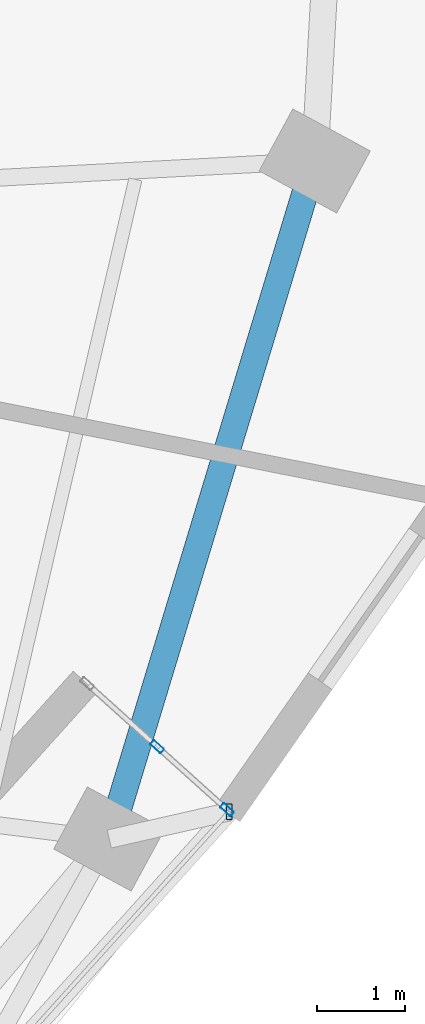
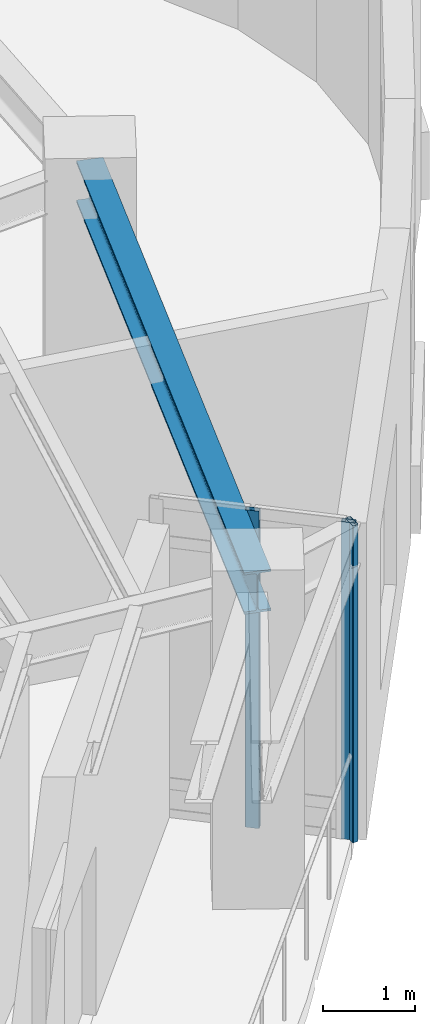
# One storey, part 10 of 18: 3 members, 1 beam, 1 element without a shape of its own.
"""IFC4 building model written with IfcOpenShell, lengths in metres."""

from ifc_helpers import new_model, si_unit, direction, frame, origin, origin_2d, place, context, subcontext, project, spatial, hollow_rectangle, i_section, extrude, material, layer, layer_set, material_profile, profile_set, type_object, element, aggregate, save


model = new_model("IFC4")

# Units and contexts
model_context = context("Model", 3, precision=1e-05, world=origin(), true_north=direction((0.0, 1.0)))
body_context = subcontext(model_context, "Body", "Model", "MODEL_VIEW")
ifc_project = project(units=[si_unit("LENGTHUNIT", "METRE"), si_unit("AREAUNIT", "SQUARE_METRE"), si_unit("VOLUMEUNIT", "CUBIC_METRE"), si_unit("PLANEANGLEUNIT", "RADIAN"), si_unit("MASSUNIT", "GRAM", prefix="KILO")], contexts=[model_context])

# Site, building, storey
site_placement = place(None, origin())
site = spatial("IfcSite", under=ifc_project, at=site_placement, CompositionType="ELEMENT")
building_placement = place(site_placement, origin())
building = spatial("IfcBuilding", under=site, at=building_placement, Name="Ndelora Gate Hotel", CompositionType="ELEMENT")
storey_placement = place(building_placement, frame((0.0, 0.0, 173.75)))
storey = spatial("IfcBuildingStorey", under=building, at=storey_placement, Name="L43", CompositionType="ELEMENT", Elevation=173.75)

# Beam
ifc_material_1 = material(Name="Steel S355", Category="steel")
ifc_material_profile_1 = material_profile(ifc_material_1, i_section(OverallWidth=0.300048828125, OverallDepth=0.550048828125, WebThickness=0.014892578125, FlangeThickness=0.029052734375, FilletRadius=0.027099609375, at=origin_2d()), Name="HEB 550")
ifc_profile_set_1 = profile_set([ifc_material_profile_1], Name="Steel S355")
beam_type = type_object("IfcBeamType", Name="BM-RING-550", PredefinedType="SPANDREL", material=ifc_profile_set_1)
beam_placement = place(storey_placement, frame((13.400390625, -7.275634765625, 3.93505859375), z_axis=(0.290012456561, 0.957022870698, 0.0), x_axis=(-0.957022870698, 0.290012456561, 0.0)))
element("IfcBeam", 1, at=beam_placement, inside=storey, type_object=beam_type, Name="L43 Perimeter Spandrel Girder 7", PredefinedType="SPANDREL", context=body_context, shape_type="SweptSolid", body=[
    extrude(i_section(OverallWidth=0.300048828125, OverallDepth=0.550048828125, WebThickness=0.014892578125, FlangeThickness=0.029052734375, FilletRadius=0.027099609375, at=origin_2d()), origin(), (0.0, 0.0, 1.0), 8.03271484375),
])

# Curtain wall, members
ifc_material_2 = material(Name="Bronze Anodised Unitised Aluminium and Low-E Glass", Category="aluminium")
ifc_layer = layer(ifc_material_2, 0.199951171875)
ifc_layer_set = layer_set([ifc_layer], Name="Bronze Anodised Unitised Aluminium and Low-E Glass")
curtain_wall_type = type_object("IfcCurtainWallType", Name="CW-SYS-3", PredefinedType="NOTDEFINED", material=ifc_layer_set)
curtain_wall_placement = place(storey_placement, origin())
curtain_wall = element("IfcCurtainWall", 2, at=curtain_wall_placement, inside=storey, type_object=curtain_wall_type, Name="L43 Sky-Garden Loggia Side Curtain Wall CW3-2", PredefinedType="NOTDEFINED")
ifc_material_3 = material(Name="Bronze Anodised Aluminium 6063-T6", Category="aluminium")
ifc_material_profile_2 = material_profile(ifc_material_3, hollow_rectangle(XDim=0.06494140625, YDim=0.159912109375, WallThickness=0.00390625, InnerFilletRadius=0.00390625, OuterFilletRadius=0.008056640625, at=origin_2d()), Name="ALU 160x65x4")
ifc_profile_set_2 = profile_set([ifc_material_profile_2], Name="Bronze Anodised Aluminium 6063-T6")
member_type_1 = type_object("IfcMemberType", Name="MB-CW-MUL150", PredefinedType="MULLION", material=ifc_profile_set_2)
member_1_placement = place(storey_placement, frame((14.736083984375, -6.94384765625, -0.00390625), z_axis=(0.0, 0.0, 1.0), x_axis=(-0.669137993626, -0.743138173886, 0.0)))
member_1 = element("IfcMember", 3, at=member_1_placement, type_object=member_type_1, Name="CW3 mullion 1", PredefinedType="MULLION", context=body_context, shape_type="SweptSolid", body=[
    extrude(hollow_rectangle(XDim=0.06494140625, YDim=0.159912109375, WallThickness=0.00390625, InnerFilletRadius=0.00390625, OuterFilletRadius=0.008056640625, at=origin_2d()), origin(), (0.0, 0.0, 1.0), 4.218017578125),
])
member_2_placement = place(storey_placement, frame((13.94287109375, -6.229736328125, -0.00390625), z_axis=(0.0, 0.0, 1.0), x_axis=(-0.669137993626, -0.743138173886, 0.0)))
member_2 = element("IfcMember", 4, at=member_2_placement, type_object=member_type_1, Name="CW3 mullion 2", PredefinedType="MULLION", context=body_context, shape_type="SweptSolid", body=[
    extrude(hollow_rectangle(XDim=0.06494140625, YDim=0.159912109375, WallThickness=0.00390625, InnerFilletRadius=0.00390625, OuterFilletRadius=0.008056640625, at=origin_2d()), origin(), (0.0, 0.0, 1.0), 4.218017578125),
])
ifc_material_profile_3 = material_profile(ifc_material_3, hollow_rectangle(XDim=0.070068359375, YDim=0.179931640625, WallThickness=0.0048828125, InnerFilletRadius=0.0048828125, OuterFilletRadius=0.010009765625, at=origin_2d()), Name="ALU 180x70x5")
ifc_profile_set_3 = profile_set([ifc_material_profile_3], Name="Bronze Anodised Aluminium 6063-T6")
member_type_2 = type_object("IfcMemberType", Name="MB-CW-MUL180", PredefinedType="MULLION", material=ifc_profile_set_3)
member_3_placement = place(storey_placement, frame((14.76025390625, -6.9658203125, 0.0), z_axis=(0.0, 0.0, 1.0), x_axis=(1.0, 0.0, 0.0)))
member_3 = element("IfcMember", 5, at=member_3_placement, type_object=member_type_2, Name="L43 Sky-Garden Loggia Corner Mullion Post 2", PredefinedType="MULLION", context=body_context, shape_type="SweptSolid", body=[
    extrude(hollow_rectangle(XDim=0.070068359375, YDim=0.179931640625, WallThickness=0.0048828125, InnerFilletRadius=0.0048828125, OuterFilletRadius=0.010009765625, at=origin_2d()), origin(), (0.0, 0.0, 1.0), 4.2099609375),
])
aggregate(curtain_wall, [member_1, member_2, member_3])

save(model, "model.ifc")
